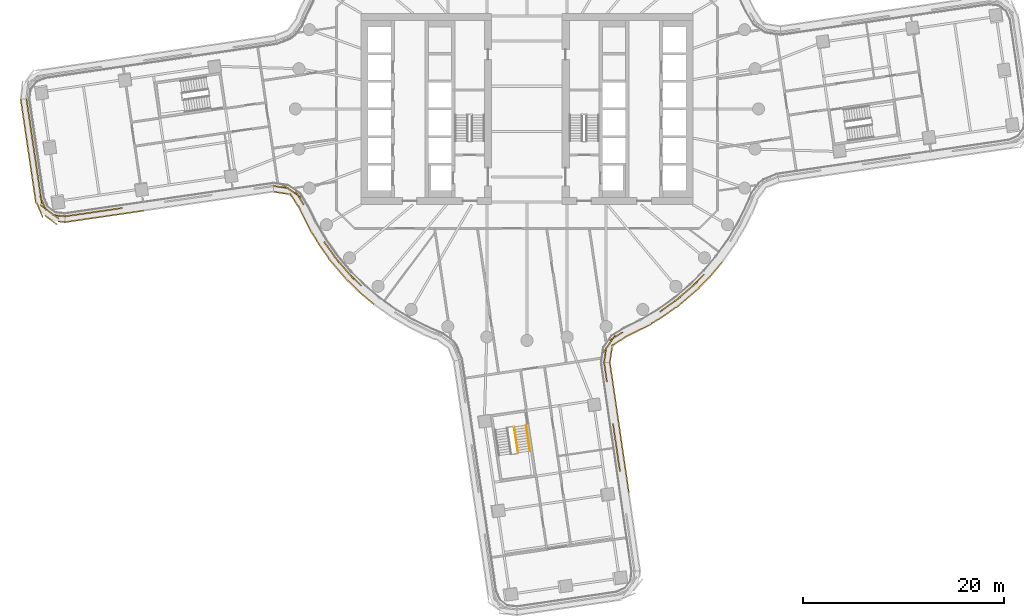
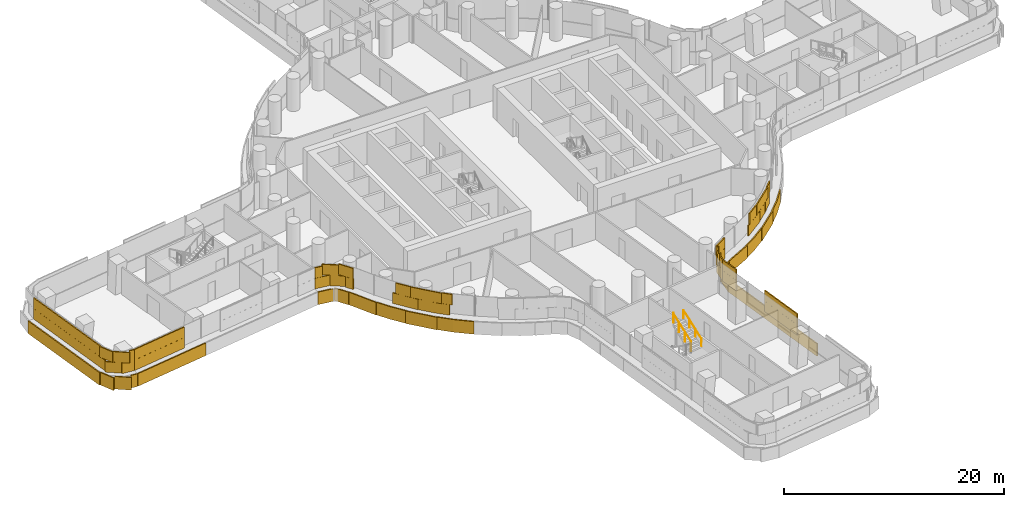
# One storey, part 26 of 31: 5 coverings, 2 railings.
"""IFC4 building model written with IfcOpenShell, lengths in metres."""

from ifc_helpers import new_model, si_unit, direction, frame, origin, origin_2d, place, context, subcontext, project, spatial, rectangle, circle, extrude, material, layer, layer_set, type_object, element, save


model = new_model("IFC4")

# Units and contexts
model_context = context("Model", 3, precision=1e-05, world=origin(), true_north=direction((0.0, 1.0)))
body_context = subcontext(model_context, "Body", "Model", "MODEL_VIEW")
ifc_project = project(units=[si_unit("LENGTHUNIT", "METRE"), si_unit("AREAUNIT", "SQUARE_METRE"), si_unit("VOLUMEUNIT", "CUBIC_METRE"), si_unit("PLANEANGLEUNIT", "RADIAN"), si_unit("MASSUNIT", "GRAM", prefix="KILO")], contexts=[model_context])

# Site, building, storey
site_placement = place(None, origin())
site = spatial("IfcSite", under=ifc_project, at=site_placement, CompositionType="ELEMENT")
building_placement = place(site_placement, origin())
building = spatial("IfcBuilding", under=site, at=building_placement, Name="Tamarind Cross Interchange Tower", CompositionType="ELEMENT")
storey_placement = place(building_placement, frame((0.0, 0.0, 64.0)))
storey = spatial("IfcBuildingStorey", under=building, at=storey_placement, Name="L14", CompositionType="ELEMENT", Elevation=64.0)

# Railings
ifc_material_1 = material(Name="Stair guard")
railing_type_1 = type_object("IfcRailingType", Name="Stair guard", PredefinedType="GUARDRAIL", material=ifc_material_1)
railing_1_placement = place(storey_placement, frame((-0.89208984375, -34.158935546875, 2.04541015625)))
element("IfcRailing", 1, at=railing_1_placement, inside=storey, type_object=railing_type_1, Name="L14 ST6 stair guard 3", PredefinedType="GUARDRAIL", context=body_context, shape_type="SweptSolid", body=[
    extrude(circle(Radius=0.02392578125, at=origin_2d()), frame((0.0, 0.0, 1.076171875), z_axis=(-0.121557479117, 0.82742322833, 0.548265064079), x_axis=(-0.989380193908, -0.145350720335, 0.0)), (0.0, 0.0, 1.0), 3.109130859375),
    extrude(circle(Radius=0.02099609375, at=origin_2d()), origin(), (0.0, 0.0, 1.0), 1.052001953125),
    extrude(circle(Radius=0.02099609375, at=origin_2d()), frame((-0.1259765625, 0.857421875, 0.568115234375)), (0.0, 0.0, 1.0), 1.052001953125),
    extrude(circle(Radius=0.02099609375, at=origin_2d()), frame((-0.251953125, 1.715087890625, 1.136474609375)), (0.0, 0.0, 1.0), 1.052001953125),
    extrude(circle(Radius=0.02099609375, at=origin_2d()), frame((-0.3779296875, 2.572509765625, 1.70458984375)), (0.0, 0.0, 1.0), 1.052001953125),
])
ifc_material_2 = material(Name="Stair handrail")
railing_type_2 = type_object("IfcRailingType", Name="Stair handrail", PredefinedType="HANDRAIL", material=ifc_material_2)
railing_2_placement = place(storey_placement, frame((0.295166015625, -33.984375, 2.04541015625)))
element("IfcRailing", 2, at=railing_2_placement, inside=storey, type_object=railing_type_2, Name="L14 ST6 stair handrail 2", PredefinedType="HANDRAIL", context=body_context, shape_type="SweptSolid", body=[
    extrude(circle(Radius=0.02392578125, at=origin_2d()), frame((0.0, 0.0, 0.8759765625), z_axis=(-0.121565377566, 0.827398461266, 0.548300688739), x_axis=(-0.989378209911, -0.145364224463, 0.0)), (0.0, 0.0, 1.0), 3.10888671875),
    extrude(circle(Radius=0.02099609375, at=origin_2d()), origin(), (0.0, 0.0, 1.0), 0.851806640625),
    extrude(circle(Radius=0.02099609375, at=origin_2d()), frame((-0.1259765625, 0.857421875, 0.568115234375)), (0.0, 0.0, 1.0), 0.851806640625),
    extrude(circle(Radius=0.02099609375, at=origin_2d()), frame((-0.251953125, 1.71484375, 1.136474609375)), (0.0, 0.0, 1.0), 0.851806640625),
    extrude(circle(Radius=0.02099609375, at=origin_2d()), frame((-0.3779296875, 2.572265625, 1.70458984375)), (0.0, 0.0, 1.0), 0.851806640625),
])

# Coverings
ifc_material_3 = material(Name="Terracotta", Category="masonry")
ifc_layer = layer(ifc_material_3, 0.1201171875)
ifc_layer_set = layer_set([ifc_layer], Name="Terracotta")
covering_type = type_object("IfcCoveringType", Name="Terracotta baguette screen unit", PredefinedType="MOLDING", material=ifc_layer_set)
covering_1_placement = place(storey_placement, origin())
element("IfcCovering", 3, at=covering_1_placement, inside=storey, type_object=covering_type, Name="SCR-L14-00-00", PredefinedType="MOLDING", context=body_context, shape_type="SweptSolid", body=[
    extrude(rectangle(XDim=1.510009765625, YDim=0.1201171875, at=origin_2d()), frame((-49.6025390625, 0.252197265625, 1.404052734375), z_axis=(0.0, 0.0, 1.0), x_axis=(0.14536472205, -0.989378136803, 0.0)), (0.0, 0.0, 1.0), 1.1669921875),
    extrude(rectangle(XDim=1.52001953125, YDim=0.1201171875, at=origin_2d()), frame((-49.384521484375, -1.23193359375, 1.404052734375), z_axis=(0.0, 0.0, 1.0), x_axis=(0.14536472205, -0.989378136803, 0.0)), (0.0, 0.0, 1.0), 1.1669921875),
    extrude(rectangle(XDim=1.52001953125, YDim=0.1201171875, at=origin_2d()), frame((-49.166259765625, -2.716064453125, 1.404052734375), z_axis=(0.0, 0.0, 1.0), x_axis=(0.14536472205, -0.989378136803, 0.0)), (0.0, 0.0, 1.0), 1.1669921875),
    extrude(rectangle(XDim=1.52001953125, YDim=0.1201171875, at=origin_2d()), frame((-48.9482421875, -4.2001953125, 1.404052734375), z_axis=(0.0, 0.0, 1.0), x_axis=(0.14536472205, -0.989378136803, 0.0)), (0.0, 0.0, 1.0), 1.1669921875),
    extrude(rectangle(XDim=1.52001953125, YDim=0.1201171875, at=origin_2d()), frame((-48.730224609375, -5.68408203125, 1.404052734375), z_axis=(0.0, 0.0, 1.0), x_axis=(0.14536472205, -0.989378136803, 0.0)), (0.0, 0.0, 1.0), 1.1669921875),
    extrude(rectangle(XDim=1.52001953125, YDim=0.1201171875, at=origin_2d()), frame((-48.51220703125, -7.168212890625, 1.404052734375), z_axis=(0.0, 0.0, 1.0), x_axis=(0.14536472205, -0.989378136803, 0.0)), (0.0, 0.0, 1.0), 1.1669921875),
    extrude(rectangle(XDim=1.52001953125, YDim=0.1201171875, at=origin_2d()), frame((-48.294189453125, -8.65234375, 1.404052734375), z_axis=(0.0, 0.0, 1.0), x_axis=(0.14536472205, -0.989378136803, 0.0)), (0.0, 0.0, 1.0), 1.1669921875),
    extrude(rectangle(XDim=1.52001953125, YDim=0.1201171875, at=origin_2d()), frame((-47.705322265625, -9.9990234375, 1.404052734375), z_axis=(0.0, 0.0, 1.0), x_axis=(0.802384370398, -0.596807608984, 0.0)), (0.0, 0.0, 1.0), 1.1669921875),
    extrude(rectangle(XDim=1.259521484375, YDim=0.1201171875, at=origin_2d()), frame((-46.516845703125, -10.604736328125, 1.404052734375), z_axis=(0.0, 0.0, 1.0), x_axis=(0.993289052856, -0.115658365354, 0.0)), (0.0, 0.0, 1.0), 1.1669921875),
    extrude(rectangle(XDim=0.760009765625, YDim=0.1201171875, at=origin_2d()), frame((-49.656982421875, 0.623046875, 2.5791015625), z_axis=(0.0, 0.0, 1.0), x_axis=(0.14536472205, -0.989378136803, 0.0)), (0.0, 0.0, 1.0), 1.1669921875),
    extrude(rectangle(XDim=1.52001953125, YDim=0.1201171875, at=origin_2d()), frame((-49.493408203125, -0.489990234375, 2.5791015625), z_axis=(0.0, 0.0, 1.0), x_axis=(0.14536472205, -0.989378136803, 0.0)), (0.0, 0.0, 1.0), 1.1669921875),
    extrude(rectangle(XDim=1.52001953125, YDim=0.1201171875, at=origin_2d()), frame((-49.275390625, -1.97412109375, 2.5791015625), z_axis=(0.0, 0.0, 1.0), x_axis=(0.14536472205, -0.989378136803, 0.0)), (0.0, 0.0, 1.0), 1.1669921875),
    extrude(rectangle(XDim=1.52001953125, YDim=0.1201171875, at=origin_2d()), frame((-49.057373046875, -3.4580078125, 2.5791015625), z_axis=(0.0, 0.0, 1.0), x_axis=(0.14536472205, -0.989378136803, 0.0)), (0.0, 0.0, 1.0), 1.1669921875),
    extrude(rectangle(XDim=1.52001953125, YDim=0.1201171875, at=origin_2d()), frame((-48.83935546875, -4.942138671875, 2.5791015625), z_axis=(0.0, 0.0, 1.0), x_axis=(0.14536472205, -0.989378136803, 0.0)), (0.0, 0.0, 1.0), 1.1669921875),
    extrude(rectangle(XDim=1.52001953125, YDim=0.1201171875, at=origin_2d()), frame((-48.621337890625, -6.42626953125, 2.5791015625), z_axis=(0.0, 0.0, 1.0), x_axis=(0.14536472205, -0.989378136803, 0.0)), (0.0, 0.0, 1.0), 1.1669921875),
    extrude(rectangle(XDim=1.52001953125, YDim=0.1201171875, at=origin_2d()), frame((-48.4033203125, -7.91015625, 2.5791015625), z_axis=(0.0, 0.0, 1.0), x_axis=(0.14536472205, -0.989378136803, 0.0)), (0.0, 0.0, 1.0), 1.1669921875),
    extrude(rectangle(XDim=1.52001953125, YDim=0.1201171875, at=origin_2d()), frame((-48.065673828125, -9.3603515625, 2.5791015625), z_axis=(0.0, 0.0, 1.0), x_axis=(0.396481443872, -0.918042735751, 0.0)), (0.0, 0.0, 1.0), 1.1669921875),
    extrude(rectangle(XDim=1.52001953125, YDim=0.1201171875, at=origin_2d()), frame((-47.103515625, -10.44677734375, 2.5791015625), z_axis=(0.0, 0.0, 1.0), x_axis=(0.802384370398, -0.596807608984, 0.0)), (0.0, 0.0, 1.0), 1.1669921875),
    extrude(rectangle(XDim=0.509521484375, YDim=0.1201171875, at=origin_2d()), frame((-46.14453125, -10.648193359375, 2.5791015625), z_axis=(0.0, 0.0, 1.0), x_axis=(0.993289052856, -0.115658365354, 0.0)), (0.0, 0.0, 1.0), 1.1669921875),
    extrude(rectangle(XDim=1.510009765625, YDim=0.1201171875, at=origin_2d()), frame((-50.1806640625, 0.238525390625, 0.00390625), z_axis=(0.0, 0.0, 1.0), x_axis=(0.14536472205, -0.989378136803, 0.0)), (0.0, 0.0, 1.0), 1.39208984375),
    extrude(rectangle(XDim=1.52001953125, YDim=0.1201171875, at=origin_2d()), frame((-49.96337890625, -1.24072265625, 0.00390625), z_axis=(0.0, 0.0, 1.0), x_axis=(0.14536472205, -0.989378136803, 0.0)), (0.0, 0.0, 1.0), 1.39208984375),
    extrude(rectangle(XDim=1.52001953125, YDim=0.1201171875, at=origin_2d()), frame((-49.745361328125, -2.724609375, 0.00390625), z_axis=(0.0, 0.0, 1.0), x_axis=(0.14536472205, -0.989378136803, 0.0)), (0.0, 0.0, 1.0), 1.39208984375),
    extrude(rectangle(XDim=1.52001953125, YDim=0.1201171875, at=origin_2d()), frame((-49.527099609375, -4.208740234375, 0.00390625), z_axis=(0.0, 0.0, 1.0), x_axis=(0.14536472205, -0.989378136803, 0.0)), (0.0, 0.0, 1.0), 1.39208984375),
    extrude(rectangle(XDim=1.52001953125, YDim=0.1201171875, at=origin_2d()), frame((-49.30908203125, -5.69287109375, 0.00390625), z_axis=(0.0, 0.0, 1.0), x_axis=(0.14536472205, -0.989378136803, 0.0)), (0.0, 0.0, 1.0), 1.39208984375),
    extrude(rectangle(XDim=1.52001953125, YDim=0.1201171875, at=origin_2d()), frame((-49.091064453125, -7.177001953125, 0.00390625), z_axis=(0.0, 0.0, 1.0), x_axis=(0.14536472205, -0.989378136803, 0.0)), (0.0, 0.0, 1.0), 1.39208984375),
    extrude(rectangle(XDim=1.52001953125, YDim=0.1201171875, at=origin_2d()), frame((-48.873046875, -8.660888671875, 0.00390625), z_axis=(0.0, 0.0, 1.0), x_axis=(0.14536472205, -0.989378136803, 0.0)), (0.0, 0.0, 1.0), 1.39208984375),
    extrude(rectangle(XDim=1.52001953125, YDim=0.1201171875, at=origin_2d()), frame((-48.385009765625, -10.068359375, 0.00390625), z_axis=(0.0, 0.0, 1.0), x_axis=(0.396481443872, -0.918042735751, 0.0)), (0.0, 0.0, 1.0), 1.39208984375),
    extrude(rectangle(XDim=1.52001953125, YDim=0.1201171875, at=origin_2d()), frame((-47.27294921875, -11.035888671875, 0.00390625), z_axis=(0.0, 0.0, 1.0), x_axis=(0.802384370398, -0.596807608984, 0.0)), (0.0, 0.0, 1.0), 1.39208984375),
    extrude(rectangle(XDim=0.6767578125, YDim=0.1201171875, at=origin_2d()), frame((-46.22412109375, -11.216796875, 0.00390625), z_axis=(0.0, 0.0, 1.0), x_axis=(0.993289052856, -0.115658365354, 0.0)), (0.0, 0.0, 1.0), 1.39208984375),
])
covering_2_placement = place(storey_placement, origin())
element("IfcCovering", 4, at=covering_2_placement, inside=storey, type_object=covering_type, Name="SCR-L14-01-00", PredefinedType="MOLDING", context=body_context, shape_type="SweptSolid", body=[
    extrude(rectangle(XDim=1.510009765625, YDim=0.1201171875, at=origin_2d()), frame((-45.154052734375, -10.56884765625, 1.404052734375), z_axis=(0.0, 0.0, 1.0), x_axis=(0.989550497642, 0.144186728298, 0.0)), (0.0, 0.0, 1.0), 1.1669921875),
    extrude(rectangle(XDim=1.52001953125, YDim=0.1201171875, at=origin_2d()), frame((-43.669921875, -10.3525390625, 1.404052734375), z_axis=(0.0, 0.0, 1.0), x_axis=(0.989550497642, 0.144186728298, 0.0)), (0.0, 0.0, 1.0), 1.1669921875),
    extrude(rectangle(XDim=1.52001953125, YDim=0.1201171875, at=origin_2d()), frame((-42.185546875, -10.136474609375, 1.404052734375), z_axis=(0.0, 0.0, 1.0), x_axis=(0.989550497642, 0.144186728298, 0.0)), (0.0, 0.0, 1.0), 1.1669921875),
    extrude(rectangle(XDim=1.2919921875, YDim=0.1201171875, at=origin_2d()), frame((-40.80908203125, -9.935791015625, 1.404052734375), z_axis=(0.0, 0.0, 1.0), x_axis=(0.989550497642, 0.144186728298, 0.0)), (0.0, 0.0, 1.0), 1.1669921875),
    extrude(rectangle(XDim=0.760009765625, YDim=0.1201171875, at=origin_2d()), frame((-45.525146484375, -10.623046875, 2.5791015625), z_axis=(0.0, 0.0, 1.0), x_axis=(0.989550497642, 0.144186728298, 0.0)), (0.0, 0.0, 1.0), 1.1669921875),
    extrude(rectangle(XDim=1.52001953125, YDim=0.1201171875, at=origin_2d()), frame((-44.411865234375, -10.460693359375, 2.5791015625), z_axis=(0.0, 0.0, 1.0), x_axis=(0.989550497642, 0.144186728298, 0.0)), (0.0, 0.0, 1.0), 1.1669921875),
    extrude(rectangle(XDim=1.52001953125, YDim=0.1201171875, at=origin_2d()), frame((-42.927734375, -10.24462890625, 2.5791015625), z_axis=(0.0, 0.0, 1.0), x_axis=(0.989550497642, 0.144186728298, 0.0)), (0.0, 0.0, 1.0), 1.1669921875),
    extrude(rectangle(XDim=1.52001953125, YDim=0.1201171875, at=origin_2d()), frame((-41.443359375, -10.0283203125, 2.5791015625), z_axis=(0.0, 0.0, 1.0), x_axis=(0.989550497642, 0.144186728298, 0.0)), (0.0, 0.0, 1.0), 1.1669921875),
    extrude(rectangle(XDim=0.5419921875, YDim=0.1201171875, at=origin_2d()), frame((-40.43798828125, -9.8818359375, 2.5791015625), z_axis=(0.0, 0.0, 1.0), x_axis=(0.989550497642, 0.144186728298, 0.0)), (0.0, 0.0, 1.0), 1.1669921875),
    extrude(rectangle(XDim=1.510009765625, YDim=0.1201171875, at=origin_2d()), frame((-45.140869140625, -11.14697265625, 0.00390625), z_axis=(0.0, 0.0, 1.0), x_axis=(0.989550497642, 0.144186728298, 0.0)), (0.0, 0.0, 1.0), 1.39208984375),
    extrude(rectangle(XDim=1.52001953125, YDim=0.1201171875, at=origin_2d()), frame((-43.661376953125, -10.931396484375, 0.00390625), z_axis=(0.0, 0.0, 1.0), x_axis=(0.989550497642, 0.144186728298, 0.0)), (0.0, 0.0, 1.0), 1.39208984375),
    extrude(rectangle(XDim=1.52001953125, YDim=0.1201171875, at=origin_2d()), frame((-42.17724609375, -10.71533203125, 0.00390625), z_axis=(0.0, 0.0, 1.0), x_axis=(0.989550497642, 0.144186728298, 0.0)), (0.0, 0.0, 1.0), 1.39208984375),
    extrude(rectangle(XDim=1.52001953125, YDim=0.1201171875, at=origin_2d()), frame((-40.69287109375, -10.4990234375, 0.00390625), z_axis=(0.0, 0.0, 1.0), x_axis=(0.989550497642, 0.144186728298, 0.0)), (0.0, 0.0, 1.0), 1.39208984375),
    extrude(rectangle(XDim=1.52001953125, YDim=0.1201171875, at=origin_2d()), frame((-39.20849609375, -10.28271484375, 0.00390625), z_axis=(0.0, 0.0, 1.0), x_axis=(0.989550497642, 0.144186728298, 0.0)), (0.0, 0.0, 1.0), 1.39208984375),
    extrude(rectangle(XDim=0.388671875, YDim=0.1201171875, at=origin_2d()), frame((-38.283935546875, -10.14794921875, 0.00390625), z_axis=(0.0, 0.0, 1.0), x_axis=(0.989550497642, 0.144186728298, 0.0)), (0.0, 0.0, 1.0), 1.39208984375),
])
covering_3_placement = place(storey_placement, origin())
element("IfcCovering", 5, at=covering_3_placement, inside=storey, type_object=covering_type, Name="SCR-L14-02-00", PredefinedType="MOLDING", context=body_context, shape_type="SweptSolid", body=[
    extrude(rectangle(XDim=1.510009765625, YDim=0.1201171875, at=origin_2d()), frame((-24.435546875, -7.767822265625, 1.404052734375), z_axis=(0.0, 0.0, 1.0), x_axis=(0.98927277831, -0.146080012647, 0.0)), (0.0, 0.0, 1.0), 1.1669921875),
    extrude(rectangle(XDim=1.52001953125, YDim=0.1201171875, at=origin_2d()), frame((-23.092529296875, -8.345947265625, 1.404052734375), z_axis=(0.0, 0.0, 1.0), x_axis=(0.824947947925, -0.565208707659, 0.0)), (0.0, 0.0, 1.0), 1.1669921875),
    extrude(rectangle(XDim=0.7822265625, YDim=0.1201171875, at=origin_2d()), frame((-22.37109375, -9.193603515625, 1.404052734375), z_axis=(0.0, 0.0, 1.0), x_axis=(0.524118698665, -0.851645225261, 0.0)), (0.0, 0.0, 1.0), 1.1669921875),
    extrude(rectangle(XDim=1.037841796875, YDim=0.1201171875, at=origin_2d()), frame((-19.84912109375, -13.618408203125, 1.404052734375), z_axis=(0.0, 0.0, 1.0), x_axis=(0.584573890505, -0.811340475102, 0.0)), (0.0, 0.0, 1.0), 1.1669921875),
    extrude(rectangle(XDim=1.52001953125, YDim=0.1201171875, at=origin_2d()), frame((-19.1103515625, -14.64404296875, 1.404052734375), z_axis=(0.0, 0.0, 1.0), x_axis=(0.584573890505, -0.811340475102, 0.0)), (0.0, 0.0, 1.0), 1.1669921875),
    extrude(rectangle(XDim=1.52001953125, YDim=0.1201171875, at=origin_2d()), frame((-18.154541015625, -15.798828125, 1.404052734375), z_axis=(0.0, 0.0, 1.0), x_axis=(0.64957723968, -0.760295606781, 0.0)), (0.0, 0.0, 1.0), 1.1669921875),
    extrude(rectangle(XDim=1.52001953125, YDim=0.1201171875, at=origin_2d()), frame((-17.13623046875, -16.898681640625, 1.404052734375), z_axis=(0.0, 0.0, 1.0), x_axis=(0.710143317658, -0.704057148523, 0.0)), (0.0, 0.0, 1.0), 1.1669921875),
    extrude(rectangle(XDim=0.760009765625, YDim=0.1201171875, at=origin_2d()), frame((-24.806640625, -7.712890625, 2.5791015625), z_axis=(0.0, 0.0, 1.0), x_axis=(0.98927277831, -0.146080012647, 0.0)), (0.0, 0.0, 1.0), 1.1669921875),
    extrude(rectangle(XDim=1.52001953125, YDim=0.1201171875, at=origin_2d()), frame((-23.711181640625, -7.921875, 2.5791015625), z_axis=(0.0, 0.0, 1.0), x_axis=(0.824947947925, -0.565208707659, 0.0)), (0.0, 0.0, 1.0), 1.1669921875),
    extrude(rectangle(XDim=1.52001953125, YDim=0.1201171875, at=origin_2d()), frame((-22.573486328125, -8.86474609375, 2.5791015625), z_axis=(0.0, 0.0, 1.0), x_axis=(0.524118698665, -0.851645225261, 0.0)), (0.0, 0.0, 1.0), 1.1669921875),
    extrude(rectangle(XDim=1.52001953125, YDim=0.1201171875, at=origin_2d()), frame((-19.548828125, -14.035400390625, 2.5791015625), z_axis=(0.0, 0.0, 1.0), x_axis=(0.584573890505, -0.811340475102, 0.0)), (0.0, 0.0, 1.0), 1.1669921875),
    extrude(rectangle(XDim=1.52001953125, YDim=0.1201171875, at=origin_2d()), frame((-18.641845703125, -15.228759765625, 2.5791015625), z_axis=(0.0, 0.0, 1.0), x_axis=(0.64957723968, -0.760295606781, 0.0)), (0.0, 0.0, 1.0), 1.1669921875),
    extrude(rectangle(XDim=1.52001953125, YDim=0.1201171875, at=origin_2d()), frame((-17.66748046875, -16.369140625, 2.5791015625), z_axis=(0.0, 0.0, 1.0), x_axis=(0.64957723968, -0.760295606781, 0.0)), (0.0, 0.0, 1.0), 1.1669921875),
    extrude(rectangle(XDim=0.988525390625, YDim=0.1201171875, at=origin_2d()), frame((-16.788818359375, -17.2431640625, 2.5791015625), z_axis=(0.0, 0.0, 1.0), x_axis=(0.710143317658, -0.704057148523, 0.0)), (0.0, 0.0, 1.0), 1.1669921875),
    extrude(rectangle(XDim=1.510009765625, YDim=0.1201171875, at=origin_2d()), frame((-24.43115234375, -8.3486328125, 0.00390625), z_axis=(0.0, 0.0, 1.0), x_axis=(0.98927277831, -0.146080012647, 0.0)), (0.0, 0.0, 1.0), 1.39208984375),
    extrude(rectangle(XDim=1.52001953125, YDim=0.1201171875, at=origin_2d()), frame((-23.14453125, -9.031982421875, 0.00390625), z_axis=(0.0, 0.0, 1.0), x_axis=(0.524118698665, -0.851645225261, 0.0)), (0.0, 0.0, 1.0), 1.39208984375),
    extrude(rectangle(XDim=1.52001953125, YDim=0.1201171875, at=origin_2d()), frame((-22.382568359375, -10.322998046875, 0.00390625), z_axis=(0.0, 0.0, 1.0), x_axis=(0.443058811505, -0.896492548518, 0.0)), (0.0, 0.0, 1.0), 1.39208984375),
    extrude(rectangle(XDim=1.52001953125, YDim=0.1201171875, at=origin_2d()), frame((-21.718017578125, -11.667724609375, 0.00390625), z_axis=(0.0, 0.0, 1.0), x_axis=(0.443058811505, -0.896492548518, 0.0)), (0.0, 0.0, 1.0), 1.39208984375),
    extrude(rectangle(XDim=1.52001953125, YDim=0.1201171875, at=origin_2d()), frame((-20.957763671875, -12.960205078125, 0.00390625), z_axis=(0.0, 0.0, 1.0), x_axis=(0.515577308909, -0.856843065292, 0.0)), (0.0, 0.0, 1.0), 1.39208984375),
    extrude(rectangle(XDim=1.52001953125, YDim=0.1201171875, at=origin_2d()), frame((-20.130615234375, -14.2099609375, 0.00390625), z_axis=(0.0, 0.0, 1.0), x_axis=(0.584573890505, -0.811340475102, 0.0)), (0.0, 0.0, 1.0), 1.39208984375),
    extrude(rectangle(XDim=1.52001953125, YDim=0.1201171875, at=origin_2d()), frame((-19.238037109375, -15.41455078125, 0.00390625), z_axis=(0.0, 0.0, 1.0), x_axis=(0.64957723968, -0.760295606781, 0.0)), (0.0, 0.0, 1.0), 1.39208984375),
    extrude(rectangle(XDim=1.52001953125, YDim=0.1201171875, at=origin_2d()), frame((-18.263671875, -16.554931640625, 0.00390625), z_axis=(0.0, 0.0, 1.0), x_axis=(0.64957723968, -0.760295606781, 0.0)), (0.0, 0.0, 1.0), 1.39208984375),
    extrude(rectangle(XDim=1.52001953125, YDim=0.1201171875, at=origin_2d()), frame((-17.21630859375, -17.627685546875, 0.00390625), z_axis=(0.0, 0.0, 1.0), x_axis=(0.710143317658, -0.704057148523, 0.0)), (0.0, 0.0, 1.0), 1.39208984375),
    extrude(rectangle(XDim=1.52001953125, YDim=0.1201171875, at=origin_2d()), frame((-16.114013671875, -18.64306640625, 0.00390625), z_axis=(0.0, 0.0, 1.0), x_axis=(0.765858396687, -0.643009266048, 0.0)), (0.0, 0.0, 1.0), 1.39208984375),
    extrude(rectangle(XDim=0.44921875, YDim=0.1201171875, at=origin_2d()), frame((-15.375244140625, -19.263427734375, 0.00390625), z_axis=(0.0, 0.0, 1.0), x_axis=(0.765858396687, -0.643009266048, 0.0)), (0.0, 0.0, 1.0), 1.39208984375),
])
covering_4_placement = place(storey_placement, origin())
element("IfcCovering", 6, at=covering_4_placement, inside=storey, type_object=covering_type, Name="SCR-L14-05-01", PredefinedType="MOLDING", context=body_context, shape_type="SweptSolid", body=[
    extrude(rectangle(XDim=0.52783203125, YDim=0.1201171875, at=origin_2d()), frame((9.200439453125, -35.76220703125, 1.404052734375), z_axis=(0.0, 0.0, 1.0), x_axis=(-0.144186728298, 0.989550497642, 0.0)), (0.0, 0.0, 1.0), 1.1669921875),
    extrude(rectangle(XDim=1.52001953125, YDim=0.1201171875, at=origin_2d()), frame((9.054931640625, -34.763916015625, 1.404052734375), z_axis=(0.0, 0.0, 1.0), x_axis=(-0.144186728298, 0.989550497642, 0.0)), (0.0, 0.0, 1.0), 1.1669921875),
    extrude(rectangle(XDim=1.52001953125, YDim=0.1201171875, at=origin_2d()), frame((8.838623046875, -33.279541015625, 1.404052734375), z_axis=(0.0, 0.0, 1.0), x_axis=(-0.144186728298, 0.989550497642, 0.0)), (0.0, 0.0, 1.0), 1.1669921875),
    extrude(rectangle(XDim=1.29150390625, YDim=0.1201171875, at=origin_2d()), frame((8.63818359375, -31.9033203125, 1.404052734375), z_axis=(0.0, 0.0, 1.0), x_axis=(-0.144186728298, 0.989550497642, 0.0)), (0.0, 0.0, 1.0), 1.1669921875),
    extrude(rectangle(XDim=0.528564453125, YDim=0.1201171875, at=origin_2d()), frame((7.90283203125, -26.856689453125, 1.404052734375), z_axis=(0.0, 0.0, 1.0), x_axis=(-0.144186728298, 0.989550497642, 0.0)), (0.0, 0.0, 1.0), 1.1669921875),
    extrude(rectangle(XDim=1.447509765625, YDim=0.1201171875, at=origin_2d()), frame((7.76171875, -25.888916015625, 1.404052734375), z_axis=(0.0, 0.0, 1.0), x_axis=(-0.144186728298, 0.989550497642, 0.0)), (0.0, 0.0, 1.0), 1.1669921875),
    extrude(rectangle(XDim=1.27783203125, YDim=0.1201171875, at=origin_2d()), frame((9.146484375, -35.39111328125, 2.5791015625), z_axis=(0.0, 0.0, 1.0), x_axis=(-0.144186728298, 0.989550497642, 0.0)), (0.0, 0.0, 1.0), 1.1669921875),
    extrude(rectangle(XDim=1.52001953125, YDim=0.1201171875, at=origin_2d()), frame((8.94677734375, -34.021728515625, 2.5791015625), z_axis=(0.0, 0.0, 1.0), x_axis=(-0.144186728298, 0.989550497642, 0.0)), (0.0, 0.0, 1.0), 1.1669921875),
    extrude(rectangle(XDim=1.52001953125, YDim=0.1201171875, at=origin_2d()), frame((8.73046875, -32.537353515625, 2.5791015625), z_axis=(0.0, 0.0, 1.0), x_axis=(-0.144186728298, 0.989550497642, 0.0)), (0.0, 0.0, 1.0), 1.1669921875),
    extrude(rectangle(XDim=0.54150390625, YDim=0.1201171875, at=origin_2d()), frame((8.583984375, -31.5322265625, 2.5791015625), z_axis=(0.0, 0.0, 1.0), x_axis=(-0.144186728298, 0.989550497642, 0.0)), (0.0, 0.0, 1.0), 1.1669921875),
    extrude(rectangle(XDim=1.278564453125, YDim=0.1201171875, at=origin_2d()), frame((7.8486328125, -26.485595703125, 2.5791015625), z_axis=(0.0, 0.0, 1.0), x_axis=(-0.144186728298, 0.989550497642, 0.0)), (0.0, 0.0, 1.0), 1.1669921875),
    extrude(rectangle(XDim=0.697509765625, YDim=0.1201171875, at=origin_2d()), frame((7.707763671875, -25.517822265625, 2.5791015625), z_axis=(0.0, 0.0, 1.0), x_axis=(-0.144186728298, 0.989550497642, 0.0)), (0.0, 0.0, 1.0), 1.1669921875),
    extrude(rectangle(XDim=1.13134765625, YDim=0.1201171875, at=origin_2d()), frame((10.038330078125, -37.53173828125, 0.00390625), z_axis=(0.0, 0.0, 1.0), x_axis=(-0.144186728298, 0.989550497642, 0.0)), (0.0, 0.0, 1.0), 1.39208984375),
    extrude(rectangle(XDim=1.52001953125, YDim=0.1201171875, at=origin_2d()), frame((9.85009765625, -36.23974609375, 0.00390625), z_axis=(0.0, 0.0, 1.0), x_axis=(-0.144186728298, 0.989550497642, 0.0)), (0.0, 0.0, 1.0), 1.39208984375),
    extrude(rectangle(XDim=1.52001953125, YDim=0.1201171875, at=origin_2d()), frame((9.6337890625, -34.755615234375, 0.00390625), z_axis=(0.0, 0.0, 1.0), x_axis=(-0.144186728298, 0.989550497642, 0.0)), (0.0, 0.0, 1.0), 1.39208984375),
    extrude(rectangle(XDim=1.52001953125, YDim=0.1201171875, at=origin_2d()), frame((9.41748046875, -33.271240234375, 0.00390625), z_axis=(0.0, 0.0, 1.0), x_axis=(-0.144186728298, 0.989550497642, 0.0)), (0.0, 0.0, 1.0), 1.39208984375),
    extrude(rectangle(XDim=1.52001953125, YDim=0.1201171875, at=origin_2d()), frame((9.201171875, -31.786865234375, 0.00390625), z_axis=(0.0, 0.0, 1.0), x_axis=(-0.144186728298, 0.989550497642, 0.0)), (0.0, 0.0, 1.0), 1.39208984375),
    extrude(rectangle(XDim=1.52001953125, YDim=0.1201171875, at=origin_2d()), frame((8.98486328125, -30.302490234375, 0.00390625), z_axis=(0.0, 0.0, 1.0), x_axis=(-0.144186728298, 0.989550497642, 0.0)), (0.0, 0.0, 1.0), 1.39208984375),
    extrude(rectangle(XDim=1.52001953125, YDim=0.1201171875, at=origin_2d()), frame((8.768798828125, -28.818115234375, 0.00390625), z_axis=(0.0, 0.0, 1.0), x_axis=(-0.144186728298, 0.989550497642, 0.0)), (0.0, 0.0, 1.0), 1.39208984375),
    extrude(rectangle(XDim=1.52001953125, YDim=0.1201171875, at=origin_2d()), frame((8.552490234375, -27.333984375, 0.00390625), z_axis=(0.0, 0.0, 1.0), x_axis=(-0.144186728298, 0.989550497642, 0.0)), (0.0, 0.0, 1.0), 1.39208984375),
    extrude(rectangle(XDim=1.4384765625, YDim=0.1201171875, at=origin_2d()), frame((8.342041015625, -25.889892578125, 0.00390625), z_axis=(0.0, 0.0, 1.0), x_axis=(-0.144186728298, 0.989550497642, 0.0)), (0.0, 0.0, 1.0), 1.39208984375),
])
covering_5_placement = place(storey_placement, origin())
element("IfcCovering", 7, at=covering_5_placement, inside=storey, type_object=covering_type, Name="SCR-L14-06-00", PredefinedType="MOLDING", context=body_context, shape_type="SweptSolid", body=[
    extrude(rectangle(XDim=1.510009765625, YDim=0.1201171875, at=origin_2d()), frame((7.767822265625, -24.435546875, 1.404052734375), z_axis=(0.0, 0.0, 1.0), x_axis=(0.146080012647, 0.98927277831, 0.0)), (0.0, 0.0, 1.0), 1.1669921875),
    extrude(rectangle(XDim=1.52001953125, YDim=0.1201171875, at=origin_2d()), frame((8.345947265625, -23.092529296875, 1.404052734375), z_axis=(0.0, 0.0, 1.0), x_axis=(0.565208707659, 0.824947947925, 0.0)), (0.0, 0.0, 1.0), 1.1669921875),
    extrude(rectangle(XDim=0.7822265625, YDim=0.1201171875, at=origin_2d()), frame((9.193603515625, -22.37109375, 1.404052734375), z_axis=(0.0, 0.0, 1.0), x_axis=(0.851645225261, 0.524118698665, 0.0)), (0.0, 0.0, 1.0), 1.1669921875),
    extrude(rectangle(XDim=1.037841796875, YDim=0.1201171875, at=origin_2d()), frame((13.618408203125, -19.84912109375, 1.404052734375), z_axis=(0.0, 0.0, 1.0), x_axis=(0.811340475102, 0.584573890505, 0.0)), (0.0, 0.0, 1.0), 1.1669921875),
    extrude(rectangle(XDim=1.52001953125, YDim=0.1201171875, at=origin_2d()), frame((14.64404296875, -19.1103515625, 1.404052734375), z_axis=(0.0, 0.0, 1.0), x_axis=(0.811340475102, 0.584573890505, 0.0)), (0.0, 0.0, 1.0), 1.1669921875),
    extrude(rectangle(XDim=1.52001953125, YDim=0.1201171875, at=origin_2d()), frame((15.798828125, -18.154541015625, 1.404052734375), z_axis=(0.0, 0.0, 1.0), x_axis=(0.760295606781, 0.64957723968, 0.0)), (0.0, 0.0, 1.0), 1.1669921875),
    extrude(rectangle(XDim=1.52001953125, YDim=0.1201171875, at=origin_2d()), frame((16.898681640625, -17.13623046875, 1.404052734375), z_axis=(0.0, 0.0, 1.0), x_axis=(0.704057148523, 0.710143317658, 0.0)), (0.0, 0.0, 1.0), 1.1669921875),
    extrude(rectangle(XDim=0.760009765625, YDim=0.1201171875, at=origin_2d()), frame((7.712890625, -24.806640625, 2.5791015625), z_axis=(0.0, 0.0, 1.0), x_axis=(0.146080012647, 0.98927277831, 0.0)), (0.0, 0.0, 1.0), 1.1669921875),
    extrude(rectangle(XDim=1.52001953125, YDim=0.1201171875, at=origin_2d()), frame((7.921875, -23.711181640625, 2.5791015625), z_axis=(0.0, 0.0, 1.0), x_axis=(0.565208707659, 0.824947947925, 0.0)), (0.0, 0.0, 1.0), 1.1669921875),
    extrude(rectangle(XDim=1.52001953125, YDim=0.1201171875, at=origin_2d()), frame((8.86474609375, -22.573486328125, 2.5791015625), z_axis=(0.0, 0.0, 1.0), x_axis=(0.851645225261, 0.524118698665, 0.0)), (0.0, 0.0, 1.0), 1.1669921875),
    extrude(rectangle(XDim=1.52001953125, YDim=0.1201171875, at=origin_2d()), frame((14.035400390625, -19.548828125, 2.5791015625), z_axis=(0.0, 0.0, 1.0), x_axis=(0.811340475102, 0.584573890505, 0.0)), (0.0, 0.0, 1.0), 1.1669921875),
    extrude(rectangle(XDim=1.52001953125, YDim=0.1201171875, at=origin_2d()), frame((15.228759765625, -18.641845703125, 2.5791015625), z_axis=(0.0, 0.0, 1.0), x_axis=(0.760295606781, 0.64957723968, 0.0)), (0.0, 0.0, 1.0), 1.1669921875),
    extrude(rectangle(XDim=1.52001953125, YDim=0.1201171875, at=origin_2d()), frame((16.369140625, -17.66748046875, 2.5791015625), z_axis=(0.0, 0.0, 1.0), x_axis=(0.760295606781, 0.64957723968, 0.0)), (0.0, 0.0, 1.0), 1.1669921875),
    extrude(rectangle(XDim=0.988525390625, YDim=0.1201171875, at=origin_2d()), frame((17.2431640625, -16.788818359375, 2.5791015625), z_axis=(0.0, 0.0, 1.0), x_axis=(0.704057148523, 0.710143317658, 0.0)), (0.0, 0.0, 1.0), 1.1669921875),
    extrude(rectangle(XDim=1.510009765625, YDim=0.1201171875, at=origin_2d()), frame((8.3486328125, -24.43115234375, 0.00390625), z_axis=(0.0, 0.0, 1.0), x_axis=(0.146080012647, 0.98927277831, 0.0)), (0.0, 0.0, 1.0), 1.39208984375),
    extrude(rectangle(XDim=1.52001953125, YDim=0.1201171875, at=origin_2d()), frame((9.031982421875, -23.14453125, 0.00390625), z_axis=(0.0, 0.0, 1.0), x_axis=(0.851645225261, 0.524118698665, 0.0)), (0.0, 0.0, 1.0), 1.39208984375),
    extrude(rectangle(XDim=1.52001953125, YDim=0.1201171875, at=origin_2d()), frame((10.322998046875, -22.382568359375, 0.00390625), z_axis=(0.0, 0.0, 1.0), x_axis=(0.896492548518, 0.443058811505, 0.0)), (0.0, 0.0, 1.0), 1.39208984375),
    extrude(rectangle(XDim=1.52001953125, YDim=0.1201171875, at=origin_2d()), frame((11.667724609375, -21.718017578125, 0.00390625), z_axis=(0.0, 0.0, 1.0), x_axis=(0.896492548518, 0.443058811505, 0.0)), (0.0, 0.0, 1.0), 1.39208984375),
    extrude(rectangle(XDim=1.52001953125, YDim=0.1201171875, at=origin_2d()), frame((12.960205078125, -20.957763671875, 0.00390625), z_axis=(0.0, 0.0, 1.0), x_axis=(0.856843065292, 0.515577308909, 0.0)), (0.0, 0.0, 1.0), 1.39208984375),
    extrude(rectangle(XDim=1.52001953125, YDim=0.1201171875, at=origin_2d()), frame((14.2099609375, -20.130615234375, 0.00390625), z_axis=(0.0, 0.0, 1.0), x_axis=(0.811340475102, 0.584573890505, 0.0)), (0.0, 0.0, 1.0), 1.39208984375),
    extrude(rectangle(XDim=1.52001953125, YDim=0.1201171875, at=origin_2d()), frame((15.41455078125, -19.238037109375, 0.00390625), z_axis=(0.0, 0.0, 1.0), x_axis=(0.760295606781, 0.64957723968, 0.0)), (0.0, 0.0, 1.0), 1.39208984375),
    extrude(rectangle(XDim=1.52001953125, YDim=0.1201171875, at=origin_2d()), frame((16.554931640625, -18.263671875, 0.00390625), z_axis=(0.0, 0.0, 1.0), x_axis=(0.760295606781, 0.64957723968, 0.0)), (0.0, 0.0, 1.0), 1.39208984375),
    extrude(rectangle(XDim=1.52001953125, YDim=0.1201171875, at=origin_2d()), frame((17.627685546875, -17.21630859375, 0.00390625), z_axis=(0.0, 0.0, 1.0), x_axis=(0.704057148523, 0.710143317658, 0.0)), (0.0, 0.0, 1.0), 1.39208984375),
    extrude(rectangle(XDim=1.52001953125, YDim=0.1201171875, at=origin_2d()), frame((18.64306640625, -16.114013671875, 0.00390625), z_axis=(0.0, 0.0, 1.0), x_axis=(0.643009266048, 0.765858396687, 0.0)), (0.0, 0.0, 1.0), 1.39208984375),
    extrude(rectangle(XDim=0.44921875, YDim=0.1201171875, at=origin_2d()), frame((19.263427734375, -15.375244140625, 0.00390625), z_axis=(0.0, 0.0, 1.0), x_axis=(0.643009266048, 0.765858396687, 0.0)), (0.0, 0.0, 1.0), 1.39208984375),
])

save(model, "model.ifc")
